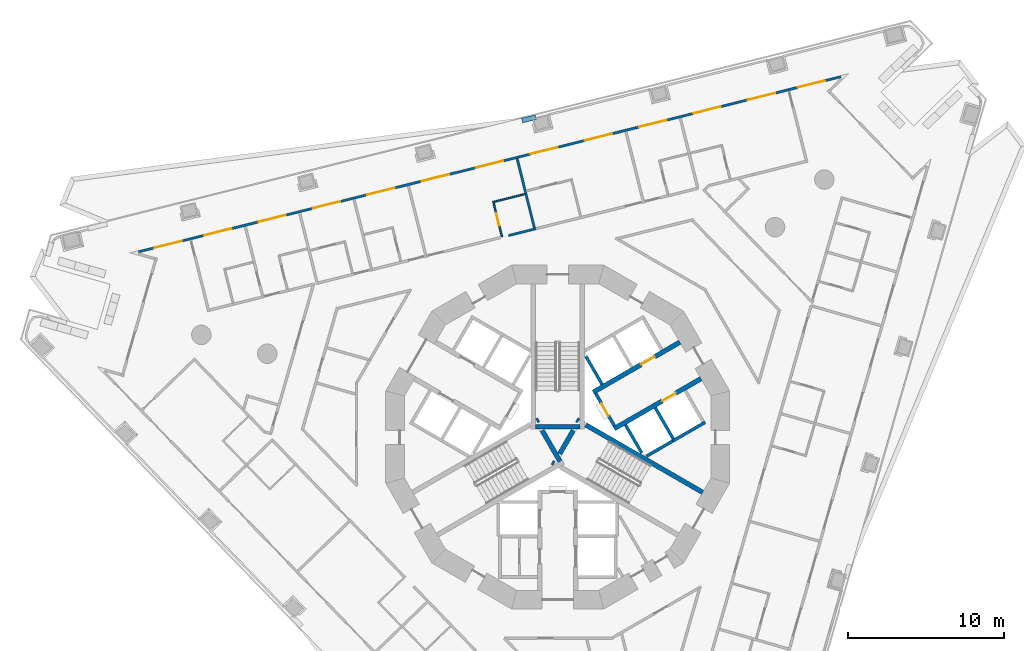
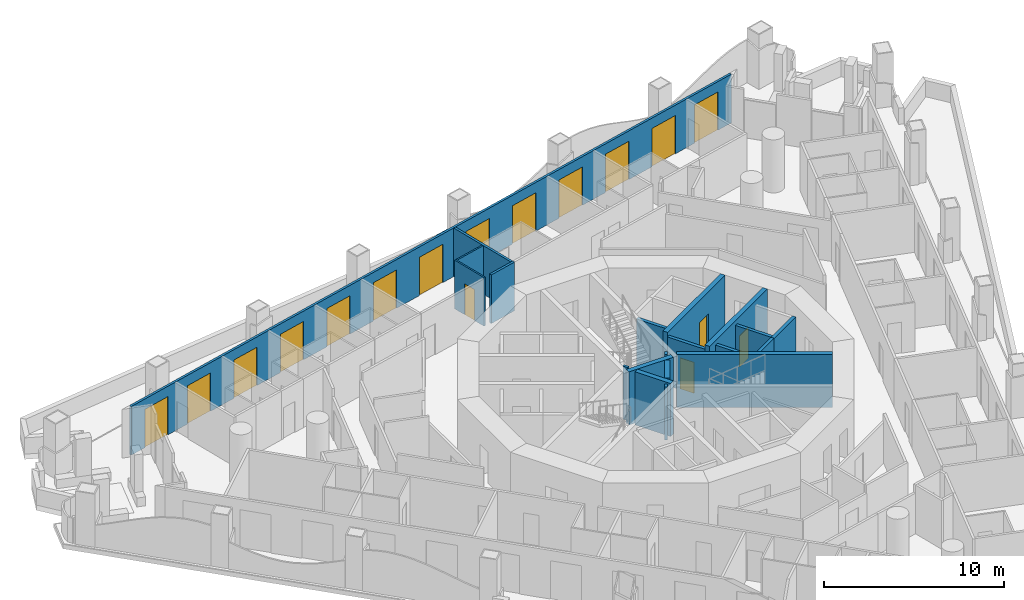
# One storey, part 8 of 19: 21 walls, 17 doors, 17 openings.
"""IFC4 building model written with IfcOpenShell, lengths in metres."""

from ifc_helpers import new_model, si_unit, direction, frame, frame_2d, origin, place, context, subcontext, project, spatial, polyline, rectangle, outline, extrude, material, layer, layer_set, type_object, element, fill, save


model = new_model("IFC4")

# Units and contexts
model_context = context("Model", 3, precision=1e-05, world=origin(), true_north=direction((0.0, 1.0)))
body_context = subcontext(model_context, "Body", "Model", "MODEL_VIEW")
ifc_project = project(units=[si_unit("LENGTHUNIT", "METRE"), si_unit("AREAUNIT", "SQUARE_METRE"), si_unit("VOLUMEUNIT", "CUBIC_METRE"), si_unit("PLANEANGLEUNIT", "RADIAN"), si_unit("MASSUNIT", "GRAM", prefix="KILO")], contexts=[model_context])

# Site, building, storey
site_placement = place(None, origin())
site = spatial("IfcSite", under=ifc_project, at=site_placement, CompositionType="ELEMENT")
building_placement = place(site_placement, origin())
building = spatial("IfcBuilding", under=site, at=building_placement, Name="Trine Commons Tower", CompositionType="ELEMENT")
storey_placement = place(building_placement, frame((0.0, 0.0, 87.300048828125)))
storey = spatial("IfcBuildingStorey", under=building, at=storey_placement, Name="L21", CompositionType="ELEMENT", Elevation=87.300048828125)

# Wall, openings, doors
ifc_material_1 = material(Name="Aluminium-framed insulated wall panel", Category="aluminium")
ifc_layer_1 = layer(ifc_material_1, 0.14990234375)
ifc_layer_set_1 = layer_set([ifc_layer_1], Name="Aluminium-framed insulated wall panel")
wall_type_1 = type_object("IfcWallType", Name="Glazed frame wall 150, EI 60", PredefinedType="SOLIDWALL", material=ifc_layer_set_1)
wall_1_placement = place(storey_placement, frame((53.01416015625, 74.326904296875, 0.0), z_axis=(0.0, 0.0, 1.0), x_axis=(0.970295935704, 0.24192105563, 0.0)))
wall_1 = element("IfcWall", 1, at=wall_1_placement, inside=storey, type_object=wall_type_1, Name="Glazed frame wall F1", PredefinedType="SOLIDWALL", context=body_context, shape_type="SweptSolid", body=[
    extrude(outline(polyline([(0.1494140625, 0.074951171875), (0.1494140625, -0.074951171875), (46.496826171875, -0.074951171875), (46.496826171875, 0.074951171875), (0.1494140625, 0.074951171875)])), origin(), (0.0, 0.0, 1.0), 3.300048828125),
])
opening_1_placement = place(wall_1_placement, frame((1.194091796875, 0.0, 0.0)))
opening_1 = element("IfcOpeningElement", 2, at=opening_1_placement, cuts=wall_1, Name="Opening BD-3F1-01", PredefinedType="OPENING", context=body_context, shape_type="SweptSolid", body=[
    extrude(rectangle(XDim=1.800048828125, YDim=2.60009765625, at=frame_2d((0.89990234375, 1.300048828125))), frame((0.0, 0.0849609375, 0.0), z_axis=(0.0, -1.0, 0.0), x_axis=(1.0, 0.0, 0.0)), (0.0, 0.0, 1.0), 0.169921875),
])
opening_2_placement = place(wall_1_placement, frame((4.482421875, 0.0, 0.0)))
opening_2 = element("IfcOpeningElement", 3, at=opening_2_placement, cuts=wall_1, Name="Opening BD-3F1-02", PredefinedType="OPENING", context=body_context, shape_type="SweptSolid", body=[
    extrude(rectangle(XDim=1.800048828125, YDim=2.60009765625, at=frame_2d((0.89990234375, 1.300048828125))), frame((0.0, 0.0849609375, 0.0), z_axis=(0.0, -1.0, 0.0), x_axis=(1.0, 0.0, 0.0)), (0.0, 0.0, 1.0), 0.169921875),
])
opening_3_placement = place(wall_1_placement, frame((8.070556640625, 0.0, 0.0)))
opening_3 = element("IfcOpeningElement", 4, at=opening_3_placement, cuts=wall_1, Name="Opening BD-3F1-03", PredefinedType="OPENING", context=body_context, shape_type="SweptSolid", body=[
    extrude(rectangle(XDim=1.800048828125, YDim=2.60009765625, at=frame_2d((0.89990234375, 1.300048828125))), frame((0.0, 0.0849609375, 0.0), z_axis=(0.0, -1.0, 0.0), x_axis=(1.0, 0.0, 0.0)), (0.0, 0.0, 1.0), 0.169921875),
])
opening_4_placement = place(wall_1_placement, frame((11.65869140625, 0.0, 0.0)))
opening_4 = element("IfcOpeningElement", 5, at=opening_4_placement, cuts=wall_1, Name="Opening BD-3F1-04", PredefinedType="OPENING", context=body_context, shape_type="SweptSolid", body=[
    extrude(rectangle(XDim=1.800048828125, YDim=2.60009765625, at=frame_2d((0.89990234375, 1.300048828125))), frame((0.0, 0.0849609375, 0.0), z_axis=(0.0, -1.0, 0.0), x_axis=(1.0, 0.0, 0.0)), (0.0, 0.0, 1.0), 0.169921875),
])
opening_5_placement = place(wall_1_placement, frame((15.246826171875, 0.0, 0.0)))
opening_5 = element("IfcOpeningElement", 6, at=opening_5_placement, cuts=wall_1, Name="Opening BD-3F1-05", PredefinedType="OPENING", context=body_context, shape_type="SweptSolid", body=[
    extrude(rectangle(XDim=1.800048828125, YDim=2.60009765625, at=frame_2d((0.89990234375, 1.300048828125))), frame((0.0, 0.0849609375, 0.0), z_axis=(0.0, -1.0, 0.0), x_axis=(1.0, 0.0, 0.0)), (0.0, 0.0, 1.0), 0.169921875),
])
opening_6_placement = place(wall_1_placement, frame((18.835205078125, 0.0, 0.0)))
opening_6 = element("IfcOpeningElement", 7, at=opening_6_placement, cuts=wall_1, Name="Opening BD-3F1-06", PredefinedType="OPENING", context=body_context, shape_type="SweptSolid", body=[
    extrude(rectangle(XDim=1.800048828125, YDim=2.60009765625, at=frame_2d((0.89990234375, 1.300048828125))), frame((0.0, 0.0849609375, 0.0), z_axis=(0.0, -1.0, 0.0), x_axis=(1.0, 0.0, 0.0)), (0.0, 0.0, 1.0), 0.169921875),
])
opening_7_placement = place(wall_1_placement, frame((22.42333984375, 0.0, 0.0)))
opening_7 = element("IfcOpeningElement", 8, at=opening_7_placement, cuts=wall_1, Name="Opening BD-3F1-07", PredefinedType="OPENING", context=body_context, shape_type="SweptSolid", body=[
    extrude(rectangle(XDim=1.800048828125, YDim=2.60009765625, at=frame_2d((0.89990234375, 1.300048828125))), frame((0.0, 0.0849609375, 0.0), z_axis=(0.0, -1.0, 0.0), x_axis=(1.0, 0.0, 0.0)), (0.0, 0.0, 1.0), 0.169921875),
])
opening_8_placement = place(wall_1_placement, frame((26.011474609375, 0.0, 0.0)))
opening_8 = element("IfcOpeningElement", 9, at=opening_8_placement, cuts=wall_1, Name="Opening BD-3F1-08", PredefinedType="OPENING", context=body_context, shape_type="SweptSolid", body=[
    extrude(rectangle(XDim=1.800048828125, YDim=2.60009765625, at=frame_2d((0.89990234375, 1.300048828125))), frame((0.0, 0.0849609375, 0.0), z_axis=(0.0, -1.0, 0.0), x_axis=(1.0, 0.0, 0.0)), (0.0, 0.0, 1.0), 0.169921875),
])
opening_9_placement = place(wall_1_placement, frame((29.599609375, 0.0, 0.0)))
opening_9 = element("IfcOpeningElement", 10, at=opening_9_placement, cuts=wall_1, Name="Opening BD-3F1-09", PredefinedType="OPENING", context=body_context, shape_type="SweptSolid", body=[
    extrude(rectangle(XDim=1.800048828125, YDim=2.60009765625, at=frame_2d((0.89990234375, 1.300048828125))), frame((0.0, 0.0849609375, 0.0), z_axis=(0.0, -1.0, 0.0), x_axis=(1.0, 0.0, 0.0)), (0.0, 0.0, 1.0), 0.169921875),
])
opening_10_placement = place(wall_1_placement, frame((33.18798828125, 0.0, 0.0)))
opening_10 = element("IfcOpeningElement", 11, at=opening_10_placement, cuts=wall_1, Name="Opening BD-3F1-10", PredefinedType="OPENING", context=body_context, shape_type="SweptSolid", body=[
    extrude(rectangle(XDim=1.800048828125, YDim=2.60009765625, at=frame_2d((0.89990234375, 1.300048828125))), frame((0.0, 0.0849609375, 0.0), z_axis=(0.0, -1.0, 0.0), x_axis=(1.0, 0.0, 0.0)), (0.0, 0.0, 1.0), 0.169921875),
])
opening_11_placement = place(wall_1_placement, frame((36.776123046875, 0.0, 0.0)))
opening_11 = element("IfcOpeningElement", 12, at=opening_11_placement, cuts=wall_1, Name="Opening BD-3F1-11", PredefinedType="OPENING", context=body_context, shape_type="SweptSolid", body=[
    extrude(rectangle(XDim=1.800048828125, YDim=2.60009765625, at=frame_2d((0.89990234375, 1.300048828125))), frame((0.0, 0.0849609375, 0.0), z_axis=(0.0, -1.0, 0.0), x_axis=(1.0, 0.0, 0.0)), (0.0, 0.0, 1.0), 0.169921875),
])
opening_12_placement = place(wall_1_placement, frame((40.3642578125, 0.0, 0.0)))
opening_12 = element("IfcOpeningElement", 13, at=opening_12_placement, cuts=wall_1, Name="Opening BD-3F1-12", PredefinedType="OPENING", context=body_context, shape_type="SweptSolid", body=[
    extrude(rectangle(XDim=1.800048828125, YDim=2.60009765625, at=frame_2d((0.89990234375, 1.300048828125))), frame((0.0, 0.0849609375, 0.0), z_axis=(0.0, -1.0, 0.0), x_axis=(1.0, 0.0, 0.0)), (0.0, 0.0, 1.0), 0.169921875),
])
opening_13_placement = place(wall_1_placement, frame((43.652587890625, 0.0, 0.0)))
opening_13 = element("IfcOpeningElement", 14, at=opening_13_placement, cuts=wall_1, Name="Opening BD-3F1-13", PredefinedType="OPENING", context=body_context, shape_type="SweptSolid", body=[
    extrude(rectangle(XDim=1.800048828125, YDim=2.60009765625, at=frame_2d((0.89990234375, 1.300048828125))), frame((0.0, 0.0849609375, 0.0), z_axis=(0.0, -1.0, 0.0), x_axis=(1.0, 0.0, 0.0)), (0.0, 0.0, 1.0), 0.169921875),
])
ifc_material_2 = material(Name="Anodised aluminium frame with double glazing", Category="aluminium")
door_type_1 = type_object("IfcDoorType", Name="Sliding loggia door 1800x2600", OperationType="SLIDING_TO_LEFT", PredefinedType="DOOR", material=ifc_material_2)
door_1_placement = place(opening_1_placement, origin())
door_1 = element("IfcDoor", 15, at=door_1_placement, inside=storey, type_object=door_type_1, Name="Loggia door F1 1", OperationType="SLIDING_TO_LEFT", OverallHeight=2.60009765625, OverallWidth=1.800048828125, PredefinedType="DOOR", context=body_context, shape_type="SweptSolid", body=[
    extrude(rectangle(XDim=1.800048828125, YDim=2.60009765625, at=frame_2d((0.89990234375, 1.300048828125))), frame((0.0, 0.02490234375, 0.0), z_axis=(0.0, -1.0, 0.0), x_axis=(1.0, 0.0, 0.0)), (0.0, 0.0, 1.0), 0.050048828125),
])
fill(opening_1, door_1)
door_2_placement = place(opening_2_placement, origin())
door_2 = element("IfcDoor", 16, at=door_2_placement, inside=storey, type_object=door_type_1, Name="Loggia door F1 2", OperationType="SLIDING_TO_LEFT", OverallHeight=2.60009765625, OverallWidth=1.800048828125, PredefinedType="DOOR", context=body_context, shape_type="SweptSolid", body=[
    extrude(rectangle(XDim=1.800048828125, YDim=2.60009765625, at=frame_2d((0.89990234375, 1.300048828125))), frame((0.0, 0.02490234375, 0.0), z_axis=(0.0, -1.0, 0.0), x_axis=(1.0, 0.0, 0.0)), (0.0, 0.0, 1.0), 0.050048828125),
])
fill(opening_2, door_2)
door_3_placement = place(opening_3_placement, origin())
door_3 = element("IfcDoor", 17, at=door_3_placement, inside=storey, type_object=door_type_1, Name="Loggia door F1 3", OperationType="SLIDING_TO_LEFT", OverallHeight=2.60009765625, OverallWidth=1.800048828125, PredefinedType="DOOR", context=body_context, shape_type="SweptSolid", body=[
    extrude(rectangle(XDim=1.800048828125, YDim=2.60009765625, at=frame_2d((0.89990234375, 1.300048828125))), frame((0.0, 0.02490234375, 0.0), z_axis=(0.0, -1.0, 0.0), x_axis=(1.0, 0.0, 0.0)), (0.0, 0.0, 1.0), 0.050048828125),
])
fill(opening_3, door_3)
door_4_placement = place(opening_4_placement, origin())
door_4 = element("IfcDoor", 18, at=door_4_placement, inside=storey, type_object=door_type_1, Name="Loggia door F1 4", OperationType="SLIDING_TO_LEFT", OverallHeight=2.60009765625, OverallWidth=1.800048828125, PredefinedType="DOOR", context=body_context, shape_type="SweptSolid", body=[
    extrude(rectangle(XDim=1.800048828125, YDim=2.60009765625, at=frame_2d((0.89990234375, 1.300048828125))), frame((0.0, 0.02490234375, 0.0), z_axis=(0.0, -1.0, 0.0), x_axis=(1.0, 0.0, 0.0)), (0.0, 0.0, 1.0), 0.050048828125),
])
fill(opening_4, door_4)
door_5_placement = place(opening_5_placement, origin())
door_5 = element("IfcDoor", 19, at=door_5_placement, inside=storey, type_object=door_type_1, Name="Loggia door F1 5", OperationType="SLIDING_TO_LEFT", OverallHeight=2.60009765625, OverallWidth=1.800048828125, PredefinedType="DOOR", context=body_context, shape_type="SweptSolid", body=[
    extrude(rectangle(XDim=1.800048828125, YDim=2.60009765625, at=frame_2d((0.89990234375, 1.300048828125))), frame((0.0, 0.02490234375, 0.0), z_axis=(0.0, -1.0, 0.0), x_axis=(1.0, 0.0, 0.0)), (0.0, 0.0, 1.0), 0.050048828125),
])
fill(opening_5, door_5)
door_6_placement = place(opening_6_placement, origin())
door_6 = element("IfcDoor", 20, at=door_6_placement, inside=storey, type_object=door_type_1, Name="Loggia door F1 6", OperationType="SLIDING_TO_LEFT", OverallHeight=2.60009765625, OverallWidth=1.800048828125, PredefinedType="DOOR", context=body_context, shape_type="SweptSolid", body=[
    extrude(rectangle(XDim=1.800048828125, YDim=2.60009765625, at=frame_2d((0.89990234375, 1.300048828125))), frame((0.0, 0.02490234375, 0.0), z_axis=(0.0, -1.0, 0.0), x_axis=(1.0, 0.0, 0.0)), (0.0, 0.0, 1.0), 0.050048828125),
])
fill(opening_6, door_6)
door_7_placement = place(opening_7_placement, origin())
door_7 = element("IfcDoor", 21, at=door_7_placement, inside=storey, type_object=door_type_1, Name="Loggia door F1 7", OperationType="SLIDING_TO_LEFT", OverallHeight=2.60009765625, OverallWidth=1.800048828125, PredefinedType="DOOR", context=body_context, shape_type="SweptSolid", body=[
    extrude(rectangle(XDim=1.800048828125, YDim=2.60009765625, at=frame_2d((0.89990234375, 1.300048828125))), frame((0.0, 0.02490234375, 0.0), z_axis=(0.0, -1.0, 0.0), x_axis=(1.0, 0.0, 0.0)), (0.0, 0.0, 1.0), 0.050048828125),
])
fill(opening_7, door_7)
door_8_placement = place(opening_8_placement, origin())
door_8 = element("IfcDoor", 22, at=door_8_placement, inside=storey, type_object=door_type_1, Name="Loggia door F1 8", OperationType="SLIDING_TO_LEFT", OverallHeight=2.60009765625, OverallWidth=1.800048828125, PredefinedType="DOOR", context=body_context, shape_type="SweptSolid", body=[
    extrude(rectangle(XDim=1.800048828125, YDim=2.60009765625, at=frame_2d((0.89990234375, 1.300048828125))), frame((0.0, 0.02490234375, 0.0), z_axis=(0.0, -1.0, 0.0), x_axis=(1.0, 0.0, 0.0)), (0.0, 0.0, 1.0), 0.050048828125),
])
fill(opening_8, door_8)
door_9_placement = place(opening_9_placement, origin())
door_9 = element("IfcDoor", 23, at=door_9_placement, inside=storey, type_object=door_type_1, Name="Loggia door F1 9", OperationType="SLIDING_TO_LEFT", OverallHeight=2.60009765625, OverallWidth=1.800048828125, PredefinedType="DOOR", context=body_context, shape_type="SweptSolid", body=[
    extrude(rectangle(XDim=1.800048828125, YDim=2.60009765625, at=frame_2d((0.89990234375, 1.300048828125))), frame((0.0, 0.02490234375, 0.0), z_axis=(0.0, -1.0, 0.0), x_axis=(1.0, 0.0, 0.0)), (0.0, 0.0, 1.0), 0.050048828125),
])
fill(opening_9, door_9)
door_10_placement = place(opening_10_placement, origin())
door_10 = element("IfcDoor", 24, at=door_10_placement, inside=storey, type_object=door_type_1, Name="Loggia door F1 10", OperationType="SLIDING_TO_LEFT", OverallHeight=2.60009765625, OverallWidth=1.800048828125, PredefinedType="DOOR", context=body_context, shape_type="SweptSolid", body=[
    extrude(rectangle(XDim=1.800048828125, YDim=2.60009765625, at=frame_2d((0.89990234375, 1.300048828125))), frame((0.0, 0.02490234375, 0.0), z_axis=(0.0, -1.0, 0.0), x_axis=(1.0, 0.0, 0.0)), (0.0, 0.0, 1.0), 0.050048828125),
])
fill(opening_10, door_10)
door_11_placement = place(opening_11_placement, origin())
door_11 = element("IfcDoor", 25, at=door_11_placement, inside=storey, type_object=door_type_1, Name="Loggia door F1 11", OperationType="SLIDING_TO_LEFT", OverallHeight=2.60009765625, OverallWidth=1.800048828125, PredefinedType="DOOR", context=body_context, shape_type="SweptSolid", body=[
    extrude(rectangle(XDim=1.800048828125, YDim=2.60009765625, at=frame_2d((0.89990234375, 1.300048828125))), frame((0.0, 0.02490234375, 0.0), z_axis=(0.0, -1.0, 0.0), x_axis=(1.0, 0.0, 0.0)), (0.0, 0.0, 1.0), 0.050048828125),
])
fill(opening_11, door_11)
door_12_placement = place(opening_12_placement, origin())
door_12 = element("IfcDoor", 26, at=door_12_placement, inside=storey, type_object=door_type_1, Name="Loggia door F1 12", OperationType="SLIDING_TO_LEFT", OverallHeight=2.60009765625, OverallWidth=1.800048828125, PredefinedType="DOOR", context=body_context, shape_type="SweptSolid", body=[
    extrude(rectangle(XDim=1.800048828125, YDim=2.60009765625, at=frame_2d((0.89990234375, 1.300048828125))), frame((0.0, 0.02490234375, 0.0), z_axis=(0.0, -1.0, 0.0), x_axis=(1.0, 0.0, 0.0)), (0.0, 0.0, 1.0), 0.050048828125),
])
fill(opening_12, door_12)
door_13_placement = place(opening_13_placement, origin())
door_13 = element("IfcDoor", 27, at=door_13_placement, inside=storey, type_object=door_type_1, Name="Loggia door F1 13", OperationType="SLIDING_TO_LEFT", OverallHeight=2.60009765625, OverallWidth=1.800048828125, PredefinedType="DOOR", context=body_context, shape_type="SweptSolid", body=[
    extrude(rectangle(XDim=1.800048828125, YDim=2.60009765625, at=frame_2d((0.89990234375, 1.300048828125))), frame((0.0, 0.02490234375, 0.0), z_axis=(0.0, -1.0, 0.0), x_axis=(1.0, 0.0, 0.0)), (0.0, 0.0, 1.0), 0.050048828125),
])
fill(opening_13, door_13)

# Wall, opening, door
ifc_material_3 = material(Name="Fire-rated gypsum shaft wall system")
ifc_layer_2 = layer(ifc_material_3, 0.199951171875)
ifc_layer_set_2 = layer_set([ifc_layer_2], Name="Fire-rated gypsum shaft wall system")
wall_type_2 = type_object("IfcWallType", Name="Lobby end wall 200 mm, EI 120", PredefinedType="PARTITIONING", material=ifc_layer_set_2)
wall_2_placement = place(storey_placement, frame((83.631103515625, 63.2109375, 0.0), z_axis=(0.0, 0.0, 1.0), x_axis=(-0.50012165622, 0.865955154139, 0.0)))
wall_2 = element("IfcWall", 28, at=wall_2_placement, inside=storey, type_object=wall_type_2, Name="Lobby end wall L21", PredefinedType="PARTITIONING", context=body_context, shape_type="SweptSolid", body=[
    extrude(rectangle(XDim=2.39990234375, YDim=0.199951171875, at=frame_2d((1.199951171875, 0.0))), origin(), (0.0, 0.0, 1.0), 3.300048828125),
])
opening_14_placement = place(wall_2_placement, frame((0.749755859375, 0.0, 0.0)))
opening_14 = element("IfcOpeningElement", 29, at=opening_14_placement, cuts=wall_2, Name="Opening K04.05", PredefinedType="OPENING", context=body_context, shape_type="SweptSolid", body=[
    extrude(rectangle(XDim=0.89990234375, YDim=2.10009765625, at=frame_2d((0.449951171875, 1.050048828125))), frame((0.0, 0.10986328125, 0.0), z_axis=(0.0, -1.0, 0.0), x_axis=(1.0, 0.0, 0.0)), (0.0, 0.0, 1.0), 0.219970703125),
])
ifc_material_4 = material(Name="Steel door leaf, fire-rated", Category="steel")
door_type_2 = type_object("IfcDoorType", Name="Riser access door, single leaf 900 x 2100, FD60", OperationType="SINGLE_SWING_LEFT", PredefinedType="DOOR", material=ifc_material_4)
door_14_placement = place(opening_14_placement, frame((0.89990234375, 0.0, 0.0), z_axis=(0.0, 0.0, 1.0), x_axis=(-1.0, 0.0, 0.0)))
door_14 = element("IfcDoor", 30, at=door_14_placement, inside=storey, type_object=door_type_2, Name="Riser door, Electrical riser L21", OperationType="SINGLE_SWING_LEFT", OverallHeight=2.10009765625, OverallWidth=0.89990234375, PredefinedType="DOOR", context=body_context, shape_type="SweptSolid", body=[
    extrude(rectangle(XDim=0.89990234375, YDim=2.10009765625, at=frame_2d((0.449951171875, 1.050048828125))), frame((0.0, 0.02490234375, 0.0), z_axis=(0.0, -1.0, 0.0), x_axis=(1.0, 0.0, 0.0)), (0.0, 0.0, 1.0), 0.050048828125),
])
fill(opening_14, door_14)

ifc_material_5 = material(Name="Concrete C70/85", Category="concrete")
ifc_layer_3 = layer(ifc_material_5, 0.300048828125)
ifc_layer_set_3 = layer_set([ifc_layer_3], Name="Concrete C70/85")
wall_type_3 = type_object("IfcWallType", Name="RC shear wall 300 mm, C70/85", PredefinedType="SHEAR", material=ifc_layer_set_3)
wall_3_placement = place(storey_placement, frame((82.26904296875, 65.368896484375, 0.0), z_axis=(0.0, 0.0, 1.0), x_axis=(0.866022631842, 0.500004801114, 0.0)))
wall_3 = element("IfcWall", 31, at=wall_3_placement, inside=storey, type_object=wall_type_3, Name="Core cross wall SWA-05 L21", PredefinedType="SHEAR", context=body_context, shape_type="SweptSolid", body=[
    extrude(rectangle(XDim=6.412109375, YDim=0.300048828125, at=frame_2d((3.2060546875, 0.0))), origin(), (0.0, 0.0, 1.0), 3.599853515625),
])
opening_15_placement = place(wall_3_placement, frame((3.55029296875, 0.0, 0.0)))
opening_15 = element("IfcOpeningElement", 32, at=opening_15_placement, cuts=wall_3, Name="Opening LD1", PredefinedType="OPENING", context=body_context, shape_type="SweptSolid", body=[
    extrude(rectangle(XDim=1.0, YDim=2.10009765625, at=frame_2d((0.5, 1.050048828125))), frame((0.0, 0.159912109375, 0.0), z_axis=(0.0, -1.0, 0.0), x_axis=(1.0, 0.0, 0.0)), (0.0, 0.0, 1.0), 0.320068359375),
])
ifc_material_6 = material(Name="Stainless steel sliding door leaves", Category="steel")
door_type_3 = type_object("IfcDoorType", Name="Lift landing door, centre-opening sliding 1000 x 2100, FD90", OperationType="DOUBLE_DOOR_SLIDING", PredefinedType="DOOR", material=ifc_material_6)
door_15_placement = place(opening_15_placement, origin())
door_15 = element("IfcDoor", 33, at=door_15_placement, inside=storey, type_object=door_type_3, Name="Lift landing door LR1 L21", OperationType="DOUBLE_DOOR_SLIDING", OverallHeight=2.10009765625, OverallWidth=1.0, PredefinedType="DOOR", context=body_context, shape_type="SweptSolid", body=[
    extrude(rectangle(XDim=1.0, YDim=2.10009765625, at=frame_2d((0.5, 1.050048828125))), frame((0.0, 0.02490234375, 0.0), z_axis=(0.0, -1.0, 0.0), x_axis=(1.0, 0.0, 0.0)), (0.0, 0.0, 1.0), 0.050048828125),
])
fill(opening_15, door_15)

wall_4_placement = place(storey_placement, frame((83.618896484375, 63.031005859375, 0.0), z_axis=(0.0, 0.0, 1.0), x_axis=(0.866032150378, 0.499988314375, 0.0)))
wall_4 = element("IfcWall", 34, at=wall_4_placement, inside=storey, type_object=wall_type_3, Name="Core cross wall SWA-06 L21", PredefinedType="SHEAR", context=body_context, shape_type="SweptSolid", body=[
    extrude(rectangle(XDim=6.412353515625, YDim=0.300048828125, at=frame_2d((3.2060546875, 0.0))), origin(), (0.0, 0.0, 1.0), 3.599853515625),
])
opening_16_placement = place(wall_4_placement, frame((3.55029296875, 0.0, 0.0)))
opening_16 = element("IfcOpeningElement", 35, at=opening_16_placement, cuts=wall_4, Name="Opening LD2", PredefinedType="OPENING", context=body_context, shape_type="SweptSolid", body=[
    extrude(rectangle(XDim=1.0, YDim=2.10009765625, at=frame_2d((0.5, 1.050048828125))), frame((0.0, 0.159912109375, 0.0), z_axis=(0.0, -1.0, 0.0), x_axis=(1.0, 0.0, 0.0)), (0.0, 0.0, 1.0), 0.320068359375),
])
door_16_placement = place(opening_16_placement, origin())
door_16 = element("IfcDoor", 36, at=door_16_placement, inside=storey, type_object=door_type_3, Name="Lift landing door LR2 L21", OperationType="DOUBLE_DOOR_SLIDING", OverallHeight=2.10009765625, OverallWidth=1.0, PredefinedType="DOOR", context=body_context, shape_type="SweptSolid", body=[
    extrude(rectangle(XDim=1.0, YDim=2.10009765625, at=frame_2d((0.5, 1.050048828125))), frame((0.0, 0.02490234375, 0.0), z_axis=(0.0, -1.0, 0.0), x_axis=(1.0, 0.0, 0.0)), (0.0, 0.0, 1.0), 0.050048828125),
])
fill(opening_16, door_16)

# Walls
wall_5_placement = place(storey_placement, frame((78.779052734375, 63.614013671875, 0.0), z_axis=(0.0, 0.0, 1.0), x_axis=(-0.867737973955, -0.497021939713, 0.0)))
element("IfcWall", 37, at=wall_5_placement, inside=storey, type_object=wall_type_3, Name="Core cross wall SWA-09 L21", PredefinedType="SHEAR", context=body_context, shape_type="SweptSolid", body=[
    extrude(rectangle(XDim=0.14892578125, YDim=0.300048828125, at=frame_2d((0.074462890625, 0.0))), origin(), (0.0, 0.0, 1.0), 3.599853515625),
])
wall_6_placement = place(storey_placement, frame((79.0029296875, 62.926025390625, 0.0), z_axis=(0.0, 0.0, 1.0), x_axis=(0.499965247104, -0.866045467449, 0.0)))
element("IfcWall", 38, at=wall_6_placement, inside=storey, type_object=wall_type_3, Name="Core cross wall SWA-10 L21", PredefinedType="SHEAR", context=body_context, shape_type="SweptSolid", body=[
    extrude(rectangle(XDim=2.292236328125, YDim=0.300048828125, at=frame_2d((1.14599609375, 0.0))), origin(), (0.0, 0.0, 1.0), 3.599853515625),
])
wall_7_placement = place(storey_placement, frame((79.64599609375, 60.885986328125, 0.0), z_axis=(0.0, 0.0, 1.0), x_axis=(0.867331893649, -0.497730234424, 0.0)))
element("IfcWall", 39, at=wall_7_placement, inside=storey, type_object=wall_type_3, Name="Core cross wall SWA-11 L21", PredefinedType="SHEAR", context=body_context, shape_type="SweptSolid", body=[
    extrude(rectangle(XDim=0.148681640625, YDim=0.300048828125, at=frame_2d((0.07421875, 0.0))), origin(), (0.0, 0.0, 1.0), 3.599853515625),
])
wall_8_placement = place(storey_placement, frame((80.1298828125, 61.424072265625, 0.0), z_axis=(0.0, 0.0, 1.0), x_axis=(0.500014901547, 0.866016800201, 0.0)))
element("IfcWall", 40, at=wall_8_placement, inside=storey, type_object=wall_type_3, Name="Core cross wall SWA-12 L21", PredefinedType="SHEAR", context=body_context, shape_type="SweptSolid", body=[
    extrude(rectangle(XDim=1.734375, YDim=0.300048828125, at=frame_2d((0.8671875, 0.0))), origin(), (0.0, 0.0, 1.0), 3.599853515625),
])
wall_9_placement = place(storey_placement, frame((81.220947265625, 63.614013671875, 0.0), z_axis=(0.0, 0.0, 1.0), x_axis=(0.867737973955, -0.497021939713, 0.0)))
element("IfcWall", 41, at=wall_9_placement, inside=storey, type_object=wall_type_3, Name="Core cross wall SWA-15 L21", PredefinedType="SHEAR", context=body_context, shape_type="SweptSolid", body=[
    extrude(rectangle(XDim=0.14892578125, YDim=0.300048828125, at=frame_2d((0.074462890625, 0.0))), origin(), (0.0, 0.0, 1.0), 3.599853515625),
])
wall_10_placement = place(storey_placement, frame((81.425048828125, 63.15087890625, 0.0), z_axis=(0.0, 0.0, 1.0), x_axis=(-1.0, 0.0, 0.0)))
element("IfcWall", 42, at=wall_10_placement, inside=storey, type_object=wall_type_3, Name="Core cross wall SWA-16 L21", PredefinedType="SHEAR", context=body_context, shape_type="SweptSolid", body=[
    extrude(rectangle(XDim=2.85009765625, YDim=0.300048828125, at=frame_2d((1.425048828125, 0.0))), origin(), (0.0, 0.0, 1.0), 3.599853515625),
])
wall_11_placement = place(storey_placement, frame((81.800048828125, 63.280029296875, 0.0), z_axis=(0.0, 0.0, 1.0), x_axis=(0.865965399159, -0.500103916661, 0.0)))
element("IfcWall", 43, at=wall_11_placement, inside=storey, type_object=wall_type_3, Name="Core cross wall SWA-18 L21", PredefinedType="SHEAR", context=body_context, shape_type="SweptSolid", body=[
    extrude(rectangle(XDim=8.642333984375, YDim=0.300048828125, at=frame_2d((4.3212890625, 0.0))), origin(), (0.0, 0.0, 1.0), 3.599853515625),
])
ifc_layer_4 = layer(ifc_material_3, 0.199951171875)
ifc_layer_set_4 = layer_set([ifc_layer_4], Name="Fire-rated gypsum shaft wall system")
wall_type_4 = type_object("IfcWallType", Name="Shaft wall 200 mm, EI 120", PredefinedType="PARTITIONING", material=ifc_layer_set_4)
wall_12_placement = place(storey_placement, frame((82.843994140625, 65.8740234375, 0.0), z_axis=(0.0, 0.0, 1.0), x_axis=(-0.499865770674, 0.866102887253, 0.0)))
element("IfcWall", 44, at=wall_12_placement, inside=storey, type_object=wall_type_4, Name="Shaft wall L21", PredefinedType="PARTITIONING", context=body_context, shape_type="SweptSolid", body=[
    extrude(rectangle(XDim=2.064453125, YDim=0.199951171875, at=frame_2d((1.0322265625, 0.0))), origin(), (0.0, 0.0, 1.0), 3.300048828125),
])
wall_13_placement = place(storey_placement, frame((84.343994140625, 63.27587890625, 0.0), z_axis=(0.0, 0.0, 1.0), x_axis=(0.500271688072, -0.86586848777, 0.0)))
element("IfcWall", 45, at=wall_13_placement, inside=storey, type_object=wall_type_4, Name="Shaft wall L21", PredefinedType="PARTITIONING", context=body_context, shape_type="SweptSolid", body=[
    extrude(rectangle(XDim=2.064697265625, YDim=0.199951171875, at=frame_2d((1.0322265625, 0.0))), origin(), (0.0, 0.0, 1.0), 3.300048828125),
])
wall_14_placement = place(storey_placement, frame((85.675048828125, 61.27294921875, 0.0), z_axis=(0.0, 0.0, 1.0), x_axis=(0.865780634835, 0.500423712812, 0.0)))
element("IfcWall", 46, at=wall_14_placement, inside=storey, type_object=wall_type_4, Name="Shaft wall L21", PredefinedType="PARTITIONING", context=body_context, shape_type="SweptSolid", body=[
    extrude(rectangle(XDim=1.948486328125, YDim=0.199951171875, at=frame_2d((0.97412109375, 0.0))), origin(), (0.0, 0.0, 1.0), 3.300048828125),
])
wall_15_placement = place(storey_placement, frame((86.2490234375, 64.3759765625, 0.0), z_axis=(0.0, 0.0, 1.0), x_axis=(0.500136062276, -0.86594683394, 0.0)))
element("IfcWall", 47, at=wall_15_placement, inside=storey, type_object=wall_type_4, Name="Shaft wall L21", PredefinedType="PARTITIONING", context=body_context, shape_type="SweptSolid", body=[
    extrude(rectangle(XDim=2.299072265625, YDim=0.199951171875, at=frame_2d((1.1494140625, 0.0))), origin(), (0.0, 0.0, 1.0), 3.300048828125),
])
wall_16_placement = place(storey_placement, frame((87.362060546875, 62.248046875, 0.0), z_axis=(0.0, 0.0, 1.0), x_axis=(0.866177122335, 0.499737123639, 0.0)))
element("IfcWall", 48, at=wall_16_placement, inside=storey, type_object=wall_type_4, Name="Shaft wall L21", PredefinedType="PARTITIONING", context=body_context, shape_type="SweptSolid", body=[
    extrude(rectangle(XDim=2.401123046875, YDim=0.199951171875, at=frame_2d((1.20068359375, 0.0))), origin(), (0.0, 0.0, 1.0), 3.300048828125),
])
ifc_material_7 = material(Name="Limestone, honed", Category="masonry")
ifc_layer_5 = layer(ifc_material_7, 0.300048828125)
ifc_layer_set_5 = layer_set([ifc_layer_5], Name="Limestone, honed")
wall_type_5 = type_object("IfcWallType", Name="Stone parapet 300", PredefinedType="PARAPET", material=ifc_layer_set_5)
wall_17_placement = place(storey_placement, origin())
element("IfcWall", 49, at=wall_17_placement, inside=storey, type_object=wall_type_5, Name="Sliver roof parapet extension L20 2.X1", PredefinedType="PARAPET", context=body_context, shape_type="SweptSolid", body=[
    extrude(outline(polyline([(77.68505859375, 82.915283203125), (77.757568359375, 82.624267578125), (78.630859375, 82.841796875), (78.558349609375, 83.133056640625), (78.2333984375, 83.052001953125), (77.68505859375, 82.915283203125)])), origin(), (0.0, 0.0, 1.0), 1.099853515625),
])
ifc_material_8 = material(Name="Gypsum plasterboard on steel stud", Category="steel")
ifc_layer_6 = layer(ifc_material_8, 0.14990234375)
ifc_layer_set_6 = layer_set([ifc_layer_6], Name="Gypsum plasterboard on steel stud")
wall_type_6 = type_object("IfcWallType", Name="Unit and corridor wall 150 mm, EI 60", PredefinedType="PARTITIONING", material=ifc_layer_set_6)
wall_18_placement = place(storey_placement, frame((76.84912109375, 75.402099609375, 0.0), z_axis=(0.0, 0.0, 1.0), x_axis=(0.97026143667, 0.242059382198, 0.0)))
element("IfcWall", 50, at=wall_18_placement, inside=storey, type_object=wall_type_6, Name="Partition 059", PredefinedType="PARTITIONING", context=body_context, shape_type="SweptSolid", body=[
    extrude(rectangle(XDim=1.809326171875, YDim=0.14990234375, at=frame_2d((0.90478515625, 0.0))), origin(), (0.0, 0.0, 1.0), 3.300048828125),
])
wall_19_placement = place(storey_placement, frame((77.40380859375, 80.330078125, 0.0), z_axis=(0.0, 0.0, 1.0), x_axis=(0.241945064156, -0.970289949412, 0.0)))
element("IfcWall", 51, at=wall_19_placement, inside=storey, type_object=wall_type_6, Name="Partition 060", PredefinedType="PARTITIONING", context=body_context, shape_type="SweptSolid", body=[
    extrude(rectangle(XDim=4.572021484375, YDim=0.14990234375, at=frame_2d((2.2861328125, 0.0))), origin(), (0.0, 0.0, 1.0), 3.300048828125),
])

# Wall, opening, door
ifc_layer_7 = layer(ifc_material_8, 0.10009765625)
ifc_layer_set_7 = layer_set([ifc_layer_7], Name="Gypsum plasterboard on steel stud")
wall_type_7 = type_object("IfcWallType", Name="Unit partition 100 mm, no rating", PredefinedType="PARTITIONING", material=ifc_layer_set_7)
wall_20_placement = place(storey_placement, frame((75.867919921875, 77.603515625, 0.0), z_axis=(0.0, 0.0, 1.0), x_axis=(0.241728942951, -0.970343814398, 0.0)))
wall_20 = element("IfcWall", 52, at=wall_20_placement, inside=storey, type_object=wall_type_7, Name="Partition 053", PredefinedType="PARTITIONING", context=body_context, shape_type="SweptSolid", body=[
    extrude(rectangle(XDim=2.35009765625, YDim=0.10009765625, at=frame_2d((1.175048828125, 0.0))), origin(), (0.0, 0.0, 1.0), 3.300048828125),
])
opening_17_placement = place(wall_20_placement, frame((0.800048828125, 0.0, 0.0)))
opening_17 = element("IfcOpeningElement", 53, at=opening_17_placement, cuts=wall_20, Name="Opening D-3A40", PredefinedType="OPENING", context=body_context, shape_type="SweptSolid", body=[
    extrude(rectangle(XDim=0.800048828125, YDim=2.10009765625, at=frame_2d((0.39990234375, 1.050048828125))), frame((0.0, 0.06005859375, 0.0), z_axis=(0.0, -1.0, 0.0), x_axis=(1.0, 0.0, 0.0)), (0.0, 0.0, 1.0), 0.1201171875),
])
ifc_material_9 = material(Name="Painted timber", Category="wood")
door_type_4 = type_object("IfcDoorType", Name="Internal door 800 x 2100, NOT RATED", OperationType="NOTDEFINED", PredefinedType="DOOR", material=ifc_material_9)
door_17_placement = place(opening_17_placement, frame((0.800048828125, 0.0, 0.0), z_axis=(0.0, 0.0, 1.0), x_axis=(-1.0, 0.0, 0.0)))
door_17 = element("IfcDoor", 54, at=door_17_placement, inside=storey, type_object=door_type_4, Name="Door D-3A40", OperationType="SINGLE_SWING_LEFT", OverallHeight=2.10009765625, OverallWidth=0.800048828125, PredefinedType="DOOR", context=body_context, shape_type="SweptSolid", body=[
    extrude(rectangle(XDim=0.800048828125, YDim=2.10009765625, at=frame_2d((0.39990234375, 1.050048828125))), frame((0.0, 0.02490234375, 0.0), z_axis=(0.0, -1.0, 0.0), x_axis=(1.0, 0.0, 0.0)), (0.0, 0.0, 1.0), 0.050048828125),
])
fill(opening_17, door_17)

# Wall
wall_21_placement = place(storey_placement, frame((75.928466796875, 77.567138671875, 0.0), z_axis=(0.0, 0.0, 1.0), x_axis=(0.97031247159, 0.241854723908, 0.0)))
element("IfcWall", 55, at=wall_21_placement, inside=storey, type_object=wall_type_7, Name="Partition 054", PredefinedType="PARTITIONING", context=body_context, shape_type="SweptSolid", body=[
    extrude(rectangle(XDim=2.02490234375, YDim=0.10009765625, at=frame_2d((1.012451171875, 0.0))), origin(), (0.0, 0.0, 1.0), 3.300048828125),
])

save(model, "model.ifc")
